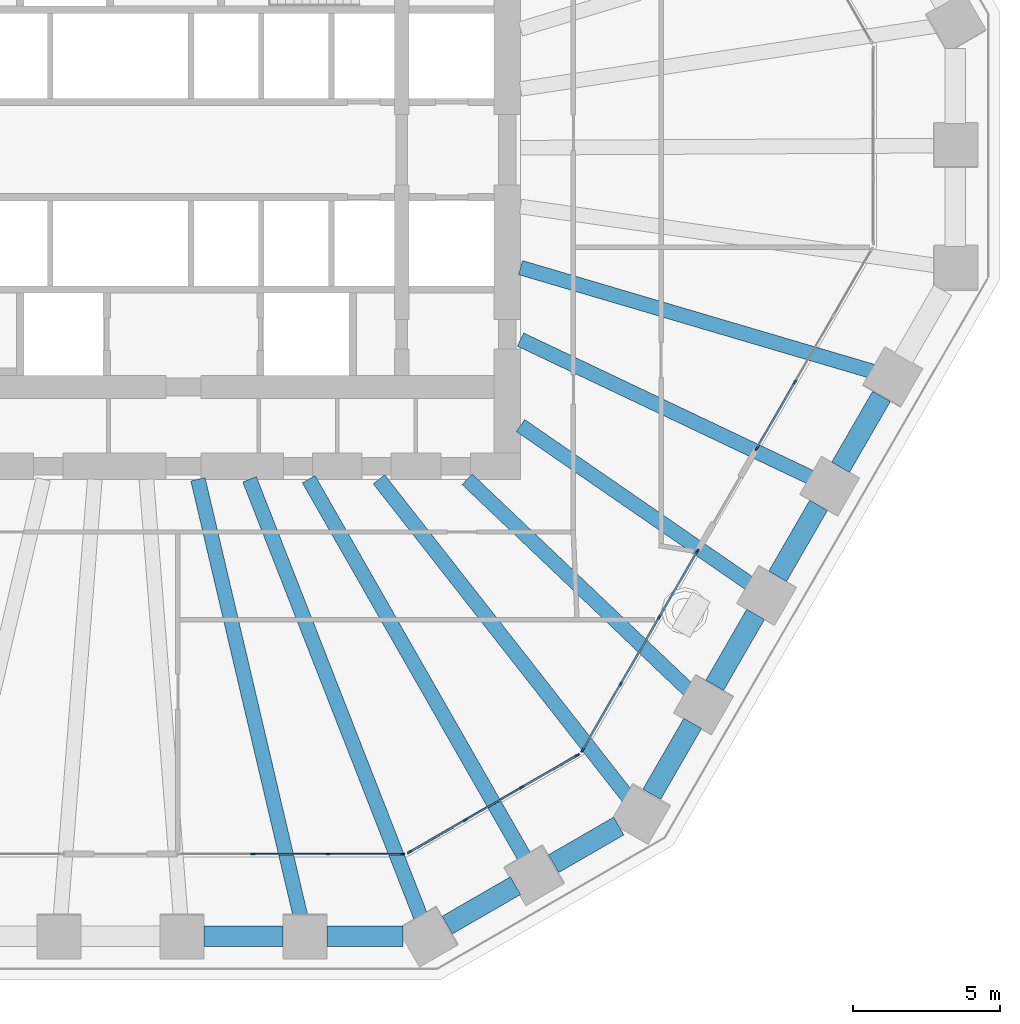
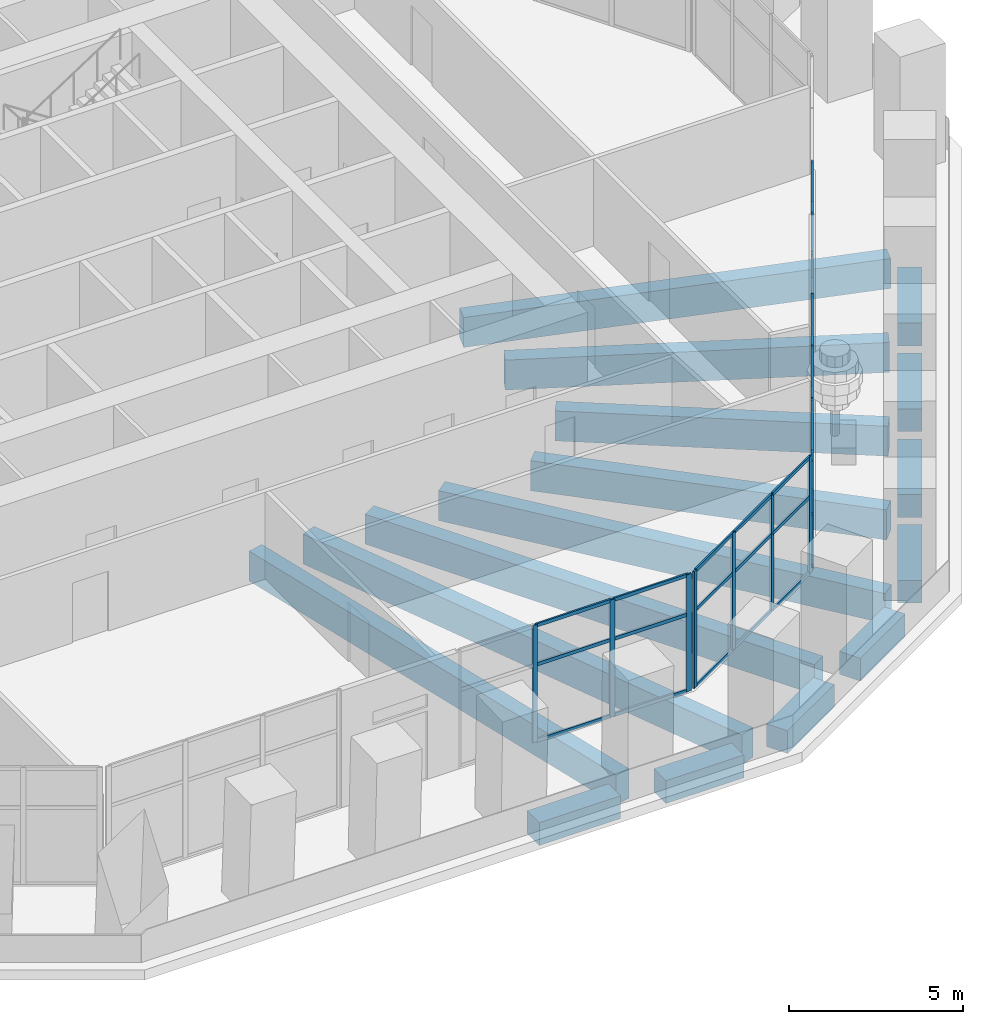
# One storey, part 4 of 18: 40 members, 16 beams, 4 elements without a shape of their own.
"""IFC4 building model written with IfcOpenShell, lengths in metres."""

from ifc_helpers import new_model, si_unit, direction, frame, origin, origin_2d, place, context, subcontext, project, spatial, rectangle, extrude, material, material_profile, profile_set, type_object, element, aggregate, save


model = new_model("IFC4")

# Units and contexts
model_context = context("Model", 3, precision=1e-05, world=origin(), true_north=direction((0.0, 1.0)))
body_context = subcontext(model_context, "Body", "Model", "MODEL_VIEW")
ifc_project = project(units=[si_unit("LENGTHUNIT", "METRE"), si_unit("AREAUNIT", "SQUARE_METRE"), si_unit("VOLUMEUNIT", "CUBIC_METRE"), si_unit("PLANEANGLEUNIT", "RADIAN"), si_unit("MASSUNIT", "GRAM", prefix="KILO")], contexts=[model_context])

# Site, building, storey
site_placement = place(None, origin())
site = spatial("IfcSite", under=ifc_project, at=site_placement, CompositionType="ELEMENT")
building_placement = place(site_placement, origin())
building = spatial("IfcBuilding", under=site, at=building_placement, Name="Frailejon Research Tower", CompositionType="ELEMENT")
storey_placement = place(building_placement, frame((0.0, 0.0, 19.0)))
storey = spatial("IfcBuildingStorey", under=building, at=storey_placement, Name="L04", CompositionType="ELEMENT", Elevation=19.0)

# Curtain wall, members
ifc_material_1 = material(Name="Aluminium curtain wall", Category="aluminium")
curtain_wall_type = type_object("IfcCurtainWallType", Name="Base zone unitised curtain wall system", PredefinedType="NOTDEFINED", material=ifc_material_1)
curtain_wall_1_placement = place(storey_placement, origin())
curtain_wall_1 = element("IfcCurtainWall", 1, at=curtain_wall_1_placement, inside=storey, type_object=curtain_wall_type, Name="Curtain wall L04", PredefinedType="NOTDEFINED")
ifc_material_2 = material(Name="Aluminium extrusion", Category="aluminium")
ifc_material_profile_1 = material_profile(ifc_material_2, rectangle(XDim=0.06005859375, YDim=0.159912109375, at=origin_2d()), Name="Base zone unitised curtain wall mullion 60x160")
ifc_profile_set_1 = profile_set([ifc_material_profile_1], Name="Aluminium extrusion")
member_type_1 = type_object("IfcMemberType", Name="Base zone unitised curtain wall mullion 60x160", PredefinedType="MULLION", material=ifc_profile_set_1)
member_1_placement = place(storey_placement, frame((4.5166015625, -24.038330078125, 0.0), z_axis=(0.0, 0.0, 1.0), x_axis=(0.0, 1.0, 0.0)))
member_1 = element("IfcMember", 2, at=member_1_placement, type_object=member_type_1, Name="CW3-077 mullion 2", PredefinedType="MULLION", context=body_context, shape_type="SweptSolid", body=[
    extrude(rectangle(XDim=0.06005859375, YDim=0.159912109375, at=origin_2d()), origin(), (0.0, 0.0, 1.0), 4.10009765625),
])
member_2_placement = place(storey_placement, frame((7.083251953125, -24.038330078125, 0.0), z_axis=(0.0, 0.0, 1.0), x_axis=(0.0, 1.0, 0.0)))
member_2 = element("IfcMember", 3, at=member_2_placement, type_object=member_type_1, Name="CW3-077 mullion 3", PredefinedType="MULLION", context=body_context, shape_type="SweptSolid", body=[
    extrude(rectangle(XDim=0.06005859375, YDim=0.159912109375, at=origin_2d()), origin(), (0.0, 0.0, 1.0), 4.10009765625),
])
member_3_placement = place(storey_placement, frame((9.619873046875, -24.038330078125, 0.0), z_axis=(0.0, 0.0, 1.0), x_axis=(0.0, 1.0, 0.0)))
member_3 = element("IfcMember", 4, at=member_3_placement, type_object=member_type_1, Name="CW3-077 mullion 4", PredefinedType="MULLION", context=body_context, shape_type="SweptSolid", body=[
    extrude(rectangle(XDim=0.06005859375, YDim=0.159912109375, at=origin_2d()), origin(), (0.0, 0.0, 1.0), 4.10009765625),
])

curtain_wall_2_placement = place(storey_placement, origin())
curtain_wall_2 = element("IfcCurtainWall", 5, at=curtain_wall_2_placement, inside=storey, type_object=curtain_wall_type, Name="Curtain wall L04", PredefinedType="NOTDEFINED")
member_4_placement = place(storey_placement, frame((9.8623046875, -23.973388671875, 0.0), z_axis=(0.0, 0.0, 1.0), x_axis=(-0.499998258782, 0.866026409075, 0.0)))
member_4 = element("IfcMember", 6, at=member_4_placement, type_object=member_type_1, Name="CW3-078 mullion 1", PredefinedType="MULLION", context=body_context, shape_type="SweptSolid", body=[
    extrude(rectangle(XDim=0.06005859375, YDim=0.159912109375, at=origin_2d()), origin(), (0.0, 0.0, 1.0), 4.10009765625),
])
member_5_placement = place(storey_placement, frame((11.76318359375, -22.8759765625, 0.0), z_axis=(0.0, 0.0, 1.0), x_axis=(-0.499998258782, 0.866026409075, 0.0)))
member_5 = element("IfcMember", 7, at=member_5_placement, type_object=member_type_1, Name="CW3-078 mullion 2", PredefinedType="MULLION", context=body_context, shape_type="SweptSolid", body=[
    extrude(rectangle(XDim=0.06005859375, YDim=0.159912109375, at=origin_2d()), origin(), (0.0, 0.0, 1.0), 4.10009765625),
])
member_6_placement = place(storey_placement, frame((13.68994140625, -21.763427734375, 0.0), z_axis=(0.0, 0.0, 1.0), x_axis=(-0.499998258782, 0.866026409075, 0.0)))
member_6 = element("IfcMember", 8, at=member_6_placement, type_object=member_type_1, Name="CW3-078 mullion 3", PredefinedType="MULLION", context=body_context, shape_type="SweptSolid", body=[
    extrude(rectangle(XDim=0.06005859375, YDim=0.159912109375, at=origin_2d()), origin(), (0.0, 0.0, 1.0), 4.10009765625),
])
member_7_placement = place(storey_placement, frame((15.5908203125, -20.666015625, 0.0), z_axis=(0.0, 0.0, 1.0), x_axis=(-0.499998258782, 0.866026409075, 0.0)))
member_7 = element("IfcMember", 9, at=member_7_placement, type_object=member_type_1, Name="CW3-078 mullion 4", PredefinedType="MULLION", context=body_context, shape_type="SweptSolid", body=[
    extrude(rectangle(XDim=0.06005859375, YDim=0.159912109375, at=origin_2d()), origin(), (0.0, 0.0, 1.0), 4.10009765625),
])

curtain_wall_3_placement = place(storey_placement, origin())
curtain_wall_3 = element("IfcCurtainWall", 10, at=curtain_wall_3_placement, inside=storey, type_object=curtain_wall_type, Name="Curtain wall L04", PredefinedType="NOTDEFINED")
member_8_placement = place(storey_placement, frame((15.768310546875, -20.488525390625, 0.0), z_axis=(0.0, 0.0, 1.0), x_axis=(-0.866026896805, 0.499997414004, 0.0)))
member_8 = element("IfcMember", 11, at=member_8_placement, type_object=member_type_1, Name="CW3-079 mullion 1", PredefinedType="MULLION", context=body_context, shape_type="SweptSolid", body=[
    extrude(rectangle(XDim=0.06005859375, YDim=0.159912109375, at=origin_2d()), origin(), (0.0, 0.0, 1.0), 4.10009765625),
])
member_9_placement = place(storey_placement, frame((17.068603515625, -18.236328125, 0.0), z_axis=(0.0, 0.0, 1.0), x_axis=(-0.866026896805, 0.499997414004, 0.0)))
member_9 = element("IfcMember", 12, at=member_9_placement, type_object=member_type_1, Name="CW3-079 mullion 2", PredefinedType="MULLION", context=body_context, shape_type="SweptSolid", body=[
    extrude(rectangle(XDim=0.06005859375, YDim=0.159912109375, at=origin_2d()), origin(), (0.0, 0.0, 1.0), 4.10009765625),
])
member_10_placement = place(storey_placement, frame((18.3837890625, -15.958251953125, 0.0), z_axis=(0.0, 0.0, 1.0), x_axis=(-0.866026896805, 0.499997414004, 0.0)))
member_10 = element("IfcMember", 13, at=member_10_placement, type_object=member_type_1, Name="CW3-079 mullion 3", PredefinedType="MULLION", context=body_context, shape_type="SweptSolid", body=[
    extrude(rectangle(XDim=0.06005859375, YDim=0.159912109375, at=origin_2d()), origin(), (0.0, 0.0, 1.0), 4.10009765625),
])
member_11_placement = place(storey_placement, frame((19.68408203125, -13.706298828125, 0.0), z_axis=(0.0, 0.0, 1.0), x_axis=(-0.866026896805, 0.499997414004, 0.0)))
member_11 = element("IfcMember", 14, at=member_11_placement, type_object=member_type_1, Name="CW3-079 mullion 4", PredefinedType="MULLION", context=body_context, shape_type="SweptSolid", body=[
    extrude(rectangle(XDim=0.06005859375, YDim=0.159912109375, at=origin_2d()), origin(), (0.0, 0.0, 1.0), 4.10009765625),
])

curtain_wall_4_placement = place(storey_placement, origin())
curtain_wall_4 = element("IfcCurtainWall", 15, at=curtain_wall_4_placement, inside=storey, type_object=curtain_wall_type, Name="Curtain wall L04", PredefinedType="NOTDEFINED")
member_12_placement = place(storey_placement, frame((21.7119140625, -10.19384765625, 0.0), z_axis=(0.0, 0.0, 1.0), x_axis=(-0.866026896805, 0.499997414004, 0.0)))
member_12 = element("IfcMember", 16, at=member_12_placement, type_object=member_type_1, Name="CW3-080 mullion 1", PredefinedType="MULLION", context=body_context, shape_type="SweptSolid", body=[
    extrude(rectangle(XDim=0.06005859375, YDim=0.159912109375, at=origin_2d()), origin(), (0.0, 0.0, 1.0), 4.10009765625),
])
member_13_placement = place(storey_placement, frame((23.01220703125, -7.941650390625, 0.0), z_axis=(0.0, 0.0, 1.0), x_axis=(-0.866026896805, 0.499997414004, 0.0)))
member_13 = element("IfcMember", 17, at=member_13_placement, type_object=member_type_1, Name="CW3-080 mullion 2", PredefinedType="MULLION", context=body_context, shape_type="SweptSolid", body=[
    extrude(rectangle(XDim=0.06005859375, YDim=0.159912109375, at=origin_2d()), origin(), (0.0, 0.0, 1.0), 4.10009765625),
])

# Member
ifc_material_3 = material(Name="Aluminium extrusion", Category="aluminium")
ifc_material_profile_2 = material_profile(ifc_material_3, rectangle(XDim=0.06005859375, YDim=0.1201171875, at=origin_2d()), Name="Base zone unitised curtain wall transom 60x120")
ifc_profile_set_2 = profile_set([ifc_material_profile_2], Name="Aluminium extrusion")
member_type_2 = type_object("IfcMemberType", Name="Base zone unitised curtain wall transom 60x120", PredefinedType="USERDEFINED", material=ifc_profile_set_2)
member_14_placement = place(storey_placement, frame((4.546630859375, -24.038330078125, 0.030029296875), z_axis=(1.0, 0.0, 0.0), x_axis=(0.0, 1.0, 0.0)))
member_14 = element("IfcMember", 18, at=member_14_placement, type_object=member_type_2, Name="CW3-077 transom 2.1", ObjectType="TRANSOM", PredefinedType="USERDEFINED", context=body_context, shape_type="SweptSolid", body=[
    extrude(rectangle(XDim=0.06005859375, YDim=0.1201171875, at=origin_2d()), origin(), (0.0, 0.0, 1.0), 2.506591796875),
])

member_15_placement = place(storey_placement, frame((4.546630859375, -24.038330078125, 2.699951171875), z_axis=(1.0, 0.0, 0.0), x_axis=(0.0, 1.0, 0.0)))
member_15 = element("IfcMember", 19, at=member_15_placement, type_object=member_type_2, Name="CW3-077 transom 2.2", ObjectType="TRANSOM", PredefinedType="USERDEFINED", context=body_context, shape_type="SweptSolid", body=[
    extrude(rectangle(XDim=0.06005859375, YDim=0.1201171875, at=origin_2d()), origin(), (0.0, 0.0, 1.0), 2.506591796875),
])

member_16_placement = place(storey_placement, frame((4.546630859375, -24.038330078125, 4.070068359375), z_axis=(1.0, 0.0, 0.0), x_axis=(0.0, 1.0, 0.0)))
member_16 = element("IfcMember", 20, at=member_16_placement, type_object=member_type_2, Name="CW3-077 transom 2.3", ObjectType="TRANSOM", PredefinedType="USERDEFINED", context=body_context, shape_type="SweptSolid", body=[
    extrude(rectangle(XDim=0.06005859375, YDim=0.1201171875, at=origin_2d()), origin(), (0.0, 0.0, 1.0), 2.506591796875),
])

member_17_placement = place(storey_placement, frame((7.11328125, -24.038330078125, 0.030029296875), z_axis=(1.0, 0.0, 0.0), x_axis=(0.0, 1.0, 0.0)))
member_17 = element("IfcMember", 21, at=member_17_placement, type_object=member_type_2, Name="CW3-077 transom 3.1", ObjectType="TRANSOM", PredefinedType="USERDEFINED", context=body_context, shape_type="SweptSolid", body=[
    extrude(rectangle(XDim=0.06005859375, YDim=0.1201171875, at=origin_2d()), origin(), (0.0, 0.0, 1.0), 2.4765625),
])

member_18_placement = place(storey_placement, frame((7.11328125, -24.038330078125, 2.699951171875), z_axis=(1.0, 0.0, 0.0), x_axis=(0.0, 1.0, 0.0)))
member_18 = element("IfcMember", 22, at=member_18_placement, type_object=member_type_2, Name="CW3-077 transom 3.2", ObjectType="TRANSOM", PredefinedType="USERDEFINED", context=body_context, shape_type="SweptSolid", body=[
    extrude(rectangle(XDim=0.06005859375, YDim=0.1201171875, at=origin_2d()), origin(), (0.0, 0.0, 1.0), 2.4765625),
])

member_19_placement = place(storey_placement, frame((7.11328125, -24.038330078125, 4.070068359375), z_axis=(1.0, 0.0, 0.0), x_axis=(0.0, 1.0, 0.0)))
member_19 = element("IfcMember", 23, at=member_19_placement, type_object=member_type_2, Name="CW3-077 transom 3.3", ObjectType="TRANSOM", PredefinedType="USERDEFINED", context=body_context, shape_type="SweptSolid", body=[
    extrude(rectangle(XDim=0.06005859375, YDim=0.1201171875, at=origin_2d()), origin(), (0.0, 0.0, 1.0), 2.4765625),
])

aggregate(curtain_wall_1, [member_1, member_2, member_3, member_14, member_15, member_16, member_17, member_18, member_19])

member_20_placement = place(storey_placement, frame((9.888427734375, -23.958251953125, 0.030029296875), z_axis=(0.866038951244, 0.499976534377, 0.0), x_axis=(-0.499976534377, 0.866038951244, 0.0)))
member_20 = element("IfcMember", 24, at=member_20_placement, type_object=member_type_2, Name="CW3-078 transom 1.1", ObjectType="TRANSOM", PredefinedType="USERDEFINED", context=body_context, shape_type="SweptSolid", body=[
    extrude(rectangle(XDim=0.06005859375, YDim=0.1201171875, at=origin_2d()), origin(), (0.0, 0.0, 1.0), 2.134765625),
])

member_21_placement = place(storey_placement, frame((9.888427734375, -23.958251953125, 2.699951171875), z_axis=(0.866038951244, 0.499976534377, 0.0), x_axis=(-0.499976534377, 0.866038951244, 0.0)))
member_21 = element("IfcMember", 25, at=member_21_placement, type_object=member_type_2, Name="CW3-078 transom 1.2", ObjectType="TRANSOM", PredefinedType="USERDEFINED", context=body_context, shape_type="SweptSolid", body=[
    extrude(rectangle(XDim=0.06005859375, YDim=0.1201171875, at=origin_2d()), origin(), (0.0, 0.0, 1.0), 2.134765625),
])

member_22_placement = place(storey_placement, frame((9.888427734375, -23.958251953125, 4.070068359375), z_axis=(0.866038951244, 0.499976534377, 0.0), x_axis=(-0.499976534377, 0.866038951244, 0.0)))
member_22 = element("IfcMember", 26, at=member_22_placement, type_object=member_type_2, Name="CW3-078 transom 1.3", ObjectType="TRANSOM", PredefinedType="USERDEFINED", context=body_context, shape_type="SweptSolid", body=[
    extrude(rectangle(XDim=0.06005859375, YDim=0.1201171875, at=origin_2d()), origin(), (0.0, 0.0, 1.0), 2.134765625),
])

member_23_placement = place(storey_placement, frame((11.7890625, -22.86083984375, 0.030029296875), z_axis=(0.866027848477, 0.499995765644, 0.0), x_axis=(-0.499995765644, 0.866027848477, 0.0)))
member_23 = element("IfcMember", 27, at=member_23_placement, type_object=member_type_2, Name="CW3-078 transom 2.1", ObjectType="TRANSOM", PredefinedType="USERDEFINED", context=body_context, shape_type="SweptSolid", body=[
    extrude(rectangle(XDim=0.06005859375, YDim=0.1201171875, at=origin_2d()), origin(), (0.0, 0.0, 1.0), 2.1650390625),
])

member_24_placement = place(storey_placement, frame((11.7890625, -22.86083984375, 2.699951171875), z_axis=(0.866027848477, 0.499995765644, 0.0), x_axis=(-0.499995765644, 0.866027848477, 0.0)))
member_24 = element("IfcMember", 28, at=member_24_placement, type_object=member_type_2, Name="CW3-078 transom 2.2", ObjectType="TRANSOM", PredefinedType="USERDEFINED", context=body_context, shape_type="SweptSolid", body=[
    extrude(rectangle(XDim=0.06005859375, YDim=0.1201171875, at=origin_2d()), origin(), (0.0, 0.0, 1.0), 2.1650390625),
])

member_25_placement = place(storey_placement, frame((11.7890625, -22.86083984375, 4.070068359375), z_axis=(0.866027848477, 0.499995765644, 0.0), x_axis=(-0.499995765644, 0.866027848477, 0.0)))
member_25 = element("IfcMember", 29, at=member_25_placement, type_object=member_type_2, Name="CW3-078 transom 2.3", ObjectType="TRANSOM", PredefinedType="USERDEFINED", context=body_context, shape_type="SweptSolid", body=[
    extrude(rectangle(XDim=0.06005859375, YDim=0.1201171875, at=origin_2d()), origin(), (0.0, 0.0, 1.0), 2.1650390625),
])

member_26_placement = place(storey_placement, frame((13.716064453125, -21.74853515625, 0.030029296875), z_axis=(0.865989432579, 0.500062298781, 0.0), x_axis=(-0.500062298781, 0.865989432579, 0.0)))
member_26 = element("IfcMember", 30, at=member_26_placement, type_object=member_type_2, Name="CW3-078 transom 3.1", ObjectType="TRANSOM", PredefinedType="USERDEFINED", context=body_context, shape_type="SweptSolid", body=[
    extrude(rectangle(XDim=0.06005859375, YDim=0.1201171875, at=origin_2d()), origin(), (0.0, 0.0, 1.0), 2.135009765625),
])

member_27_placement = place(storey_placement, frame((13.716064453125, -21.74853515625, 2.699951171875), z_axis=(0.865989432579, 0.500062298781, 0.0), x_axis=(-0.500062298781, 0.865989432579, 0.0)))
member_27 = element("IfcMember", 31, at=member_27_placement, type_object=member_type_2, Name="CW3-078 transom 3.2", ObjectType="TRANSOM", PredefinedType="USERDEFINED", context=body_context, shape_type="SweptSolid", body=[
    extrude(rectangle(XDim=0.06005859375, YDim=0.1201171875, at=origin_2d()), origin(), (0.0, 0.0, 1.0), 2.135009765625),
])

member_28_placement = place(storey_placement, frame((13.716064453125, -21.74853515625, 4.070068359375), z_axis=(0.865989432579, 0.500062298781, 0.0), x_axis=(-0.500062298781, 0.865989432579, 0.0)))
member_28 = element("IfcMember", 32, at=member_28_placement, type_object=member_type_2, Name="CW3-078 transom 3.3", ObjectType="TRANSOM", PredefinedType="USERDEFINED", context=body_context, shape_type="SweptSolid", body=[
    extrude(rectangle(XDim=0.06005859375, YDim=0.1201171875, at=origin_2d()), origin(), (0.0, 0.0, 1.0), 2.135009765625),
])

aggregate(curtain_wall_2, [member_4, member_5, member_6, member_7, member_20, member_21, member_22, member_23, member_24, member_25, member_26, member_27, member_28])

member_29_placement = place(storey_placement, frame((15.783447265625, -20.46240234375, 0.030029296875), z_axis=(0.499994189038, 0.866028758719, 0.0), x_axis=(-0.866028758719, 0.499994189038, 0.0)))
member_29 = element("IfcMember", 33, at=member_29_placement, type_object=member_type_2, Name="CW3-079 transom 1.1", ObjectType="TRANSOM", PredefinedType="USERDEFINED", context=body_context, shape_type="SweptSolid", body=[
    extrude(rectangle(XDim=0.06005859375, YDim=0.1201171875, at=origin_2d()), origin(), (0.0, 0.0, 1.0), 2.54052734375),
])

member_30_placement = place(storey_placement, frame((15.783447265625, -20.46240234375, 2.699951171875), z_axis=(0.499994189038, 0.866028758719, 0.0), x_axis=(-0.866028758719, 0.499994189038, 0.0)))
member_30 = element("IfcMember", 34, at=member_30_placement, type_object=member_type_2, Name="CW3-079 transom 1.2", ObjectType="TRANSOM", PredefinedType="USERDEFINED", context=body_context, shape_type="SweptSolid", body=[
    extrude(rectangle(XDim=0.06005859375, YDim=0.1201171875, at=origin_2d()), origin(), (0.0, 0.0, 1.0), 2.54052734375),
])

member_31_placement = place(storey_placement, frame((15.783447265625, -20.46240234375, 4.070068359375), z_axis=(0.499994189038, 0.866028758719, 0.0), x_axis=(-0.866028758719, 0.499994189038, 0.0)))
member_31 = element("IfcMember", 35, at=member_31_placement, type_object=member_type_2, Name="CW3-079 transom 1.3", ObjectType="TRANSOM", PredefinedType="USERDEFINED", context=body_context, shape_type="SweptSolid", body=[
    extrude(rectangle(XDim=0.06005859375, YDim=0.1201171875, at=origin_2d()), origin(), (0.0, 0.0, 1.0), 2.54052734375),
])

member_32_placement = place(storey_placement, frame((17.083740234375, -18.21044921875, 0.030029296875), z_axis=(0.49993894727, 0.866060649725, 0.0), x_axis=(-0.866060649725, 0.49993894727, 0.0)))
member_32 = element("IfcMember", 36, at=member_32_placement, type_object=member_type_2, Name="CW3-079 transom 2.1", ObjectType="TRANSOM", PredefinedType="USERDEFINED", context=body_context, shape_type="SweptSolid", body=[
    extrude(rectangle(XDim=0.06005859375, YDim=0.1201171875, at=origin_2d()), origin(), (0.0, 0.0, 1.0), 2.570556640625),
])

member_33_placement = place(storey_placement, frame((17.083740234375, -18.21044921875, 2.699951171875), z_axis=(0.49993894727, 0.866060649725, 0.0), x_axis=(-0.866060649725, 0.49993894727, 0.0)))
member_33 = element("IfcMember", 37, at=member_33_placement, type_object=member_type_2, Name="CW3-079 transom 2.2", ObjectType="TRANSOM", PredefinedType="USERDEFINED", context=body_context, shape_type="SweptSolid", body=[
    extrude(rectangle(XDim=0.06005859375, YDim=0.1201171875, at=origin_2d()), origin(), (0.0, 0.0, 1.0), 2.570556640625),
])

member_34_placement = place(storey_placement, frame((17.083740234375, -18.21044921875, 4.070068359375), z_axis=(0.49993894727, 0.866060649725, 0.0), x_axis=(-0.866060649725, 0.49993894727, 0.0)))
member_34 = element("IfcMember", 38, at=member_34_placement, type_object=member_type_2, Name="CW3-079 transom 2.3", ObjectType="TRANSOM", PredefinedType="USERDEFINED", context=body_context, shape_type="SweptSolid", body=[
    extrude(rectangle(XDim=0.06005859375, YDim=0.1201171875, at=origin_2d()), origin(), (0.0, 0.0, 1.0), 2.570556640625),
])

member_35_placement = place(storey_placement, frame((18.39892578125, -15.932373046875, 0.030029296875), z_axis=(0.499994189038, 0.866028758719, 0.0), x_axis=(-0.866028758719, 0.499994189038, 0.0)))
member_35 = element("IfcMember", 39, at=member_35_placement, type_object=member_type_2, Name="CW3-079 transom 3.1", ObjectType="TRANSOM", PredefinedType="USERDEFINED", context=body_context, shape_type="SweptSolid", body=[
    extrude(rectangle(XDim=0.06005859375, YDim=0.1201171875, at=origin_2d()), origin(), (0.0, 0.0, 1.0), 2.54052734375),
])

member_36_placement = place(storey_placement, frame((18.39892578125, -15.932373046875, 2.699951171875), z_axis=(0.499994189038, 0.866028758719, 0.0), x_axis=(-0.866028758719, 0.499994189038, 0.0)))
member_36 = element("IfcMember", 40, at=member_36_placement, type_object=member_type_2, Name="CW3-079 transom 3.2", ObjectType="TRANSOM", PredefinedType="USERDEFINED", context=body_context, shape_type="SweptSolid", body=[
    extrude(rectangle(XDim=0.06005859375, YDim=0.1201171875, at=origin_2d()), origin(), (0.0, 0.0, 1.0), 2.54052734375),
])

member_37_placement = place(storey_placement, frame((18.39892578125, -15.932373046875, 4.070068359375), z_axis=(0.499994189038, 0.866028758719, 0.0), x_axis=(-0.866028758719, 0.499994189038, 0.0)))
member_37 = element("IfcMember", 41, at=member_37_placement, type_object=member_type_2, Name="CW3-079 transom 3.3", ObjectType="TRANSOM", PredefinedType="USERDEFINED", context=body_context, shape_type="SweptSolid", body=[
    extrude(rectangle(XDim=0.06005859375, YDim=0.1201171875, at=origin_2d()), origin(), (0.0, 0.0, 1.0), 2.54052734375),
])

aggregate(curtain_wall_3, [member_8, member_9, member_10, member_11, member_29, member_30, member_31, member_32, member_33, member_34, member_35, member_36, member_37])

member_38_placement = place(storey_placement, frame((21.726806640625, -10.167724609375, 0.030029296875), z_axis=(0.500035802948, 0.866004731956, 0.0), x_axis=(-0.866004731956, 0.500035802948, 0.0)))
member_38 = element("IfcMember", 42, at=member_38_placement, type_object=member_type_2, Name="CW3-080 transom 1.1", ObjectType="TRANSOM", PredefinedType="USERDEFINED", context=body_context, shape_type="SweptSolid", body=[
    extrude(rectangle(XDim=0.06005859375, YDim=0.1201171875, at=origin_2d()), origin(), (0.0, 0.0, 1.0), 2.540283203125),
])

member_39_placement = place(storey_placement, frame((21.726806640625, -10.167724609375, 2.699951171875), z_axis=(0.500035802948, 0.866004731956, 0.0), x_axis=(-0.866004731956, 0.500035802948, 0.0)))
member_39 = element("IfcMember", 43, at=member_39_placement, type_object=member_type_2, Name="CW3-080 transom 1.2", ObjectType="TRANSOM", PredefinedType="USERDEFINED", context=body_context, shape_type="SweptSolid", body=[
    extrude(rectangle(XDim=0.06005859375, YDim=0.1201171875, at=origin_2d()), origin(), (0.0, 0.0, 1.0), 2.540283203125),
])

member_40_placement = place(storey_placement, frame((21.726806640625, -10.167724609375, 4.070068359375), z_axis=(0.500035802948, 0.866004731956, 0.0), x_axis=(-0.866004731956, 0.500035802948, 0.0)))
member_40 = element("IfcMember", 44, at=member_40_placement, type_object=member_type_2, Name="CW3-080 transom 1.3", ObjectType="TRANSOM", PredefinedType="USERDEFINED", context=body_context, shape_type="SweptSolid", body=[
    extrude(rectangle(XDim=0.06005859375, YDim=0.1201171875, at=origin_2d()), origin(), (0.0, 0.0, 1.0), 2.540283203125),
])

aggregate(curtain_wall_4, [member_12, member_13, member_38, member_39, member_40])

# Beams
ifc_material_4 = material(Name="Concrete C60/75", Category="concrete")
ifc_material_profile_3 = material_profile(ifc_material_4, rectangle(XDim=0.5, YDim=1.050048828125, at=origin_2d()), Name="Girder 500x1050")
ifc_profile_set_3 = profile_set([ifc_material_profile_3], Name="Concrete C60/75")
beam_type_1 = type_object("IfcBeamType", Name="Girder 500x1050", PredefinedType="BEAM", material=ifc_profile_set_3)
beam_1_placement = place(storey_placement, frame((6.158203125, -26.234375, -0.824951171875), z_axis=(-0.228522100107, 0.973538725353, 0.0), x_axis=(-0.973538725353, -0.228522100107, 0.0)))
element("IfcBeam", 45, at=beam_1_placement, inside=storey, type_object=beam_type_1, Name="Girder 500x1050", PredefinedType="BEAM", context=body_context, shape_type="SweptSolid", body=[
    extrude(rectangle(XDim=0.5, YDim=1.050048828125, at=origin_2d()), origin(), (0.0, 0.0, 1.0), 15.3916015625),
])
beam_2_placement = place(storey_placement, frame((10.2783203125, -26.271484375, -0.824951171875), z_axis=(-0.36434456198, 0.931264216082, 0.0), x_axis=(-0.931264216082, -0.36434456198, 0.0)))
element("IfcBeam", 46, at=beam_2_placement, inside=storey, type_object=beam_type_1, Name="Girder 500x1050", PredefinedType="BEAM", context=body_context, shape_type="SweptSolid", body=[
    extrude(rectangle(XDim=0.5, YDim=1.050048828125, at=origin_2d()), origin(), (0.0, 0.0, 1.0), 16.130126953125),
])
beam_3_placement = place(storey_placement, frame((13.8291015625, -24.223388671875, -0.824951171875), z_axis=(-0.495792179551, 0.86844119818, 0.0), x_axis=(-0.86844119818, -0.495792179551, 0.0)))
element("IfcBeam", 47, at=beam_3_placement, inside=storey, type_object=beam_type_1, Name="Girder 500x1050", PredefinedType="BEAM", context=body_context, shape_type="SweptSolid", body=[
    extrude(rectangle(XDim=0.5, YDim=1.050048828125, at=origin_2d()), origin(), (0.0, 0.0, 1.0), 14.938720703125),
])
beam_4_placement = place(storey_placement, frame((17.346923828125, -22.132568359375, -0.824951171875), z_axis=(-0.616879889543, 0.787057305332, 0.0), x_axis=(-0.787057305332, -0.616879889543, 0.0)))
element("IfcBeam", 48, at=beam_4_placement, inside=storey, type_object=beam_type_1, Name="Girder 500x1050", PredefinedType="BEAM", context=body_context, shape_type="SweptSolid", body=[
    extrude(rectangle(XDim=0.5, YDim=1.050048828125, at=origin_2d()), origin(), (0.0, 0.0, 1.0), 13.826904296875),
])
beam_5_placement = place(storey_placement, frame((19.45068359375, -18.501953125, -0.824951171875), z_axis=(-0.724554952995, 0.689217034098, 0.0), x_axis=(-0.689217034098, -0.724554952995, 0.0)))
element("IfcBeam", 49, at=beam_5_placement, inside=storey, type_object=beam_type_1, Name="Girder 500x1050", PredefinedType="BEAM", context=body_context, shape_type="SweptSolid", body=[
    extrude(rectangle(XDim=0.5, YDim=1.050048828125, at=origin_2d()), origin(), (0.0, 0.0, 1.0), 10.52197265625),
])
beam_6_placement = place(storey_placement, frame((21.552978515625, -14.867919921875, -0.824951171875), z_axis=(-0.8231513097, 0.567822085991, 0.0), x_axis=(-0.567822085991, -0.8231513097, 0.0)))
element("IfcBeam", 50, at=beam_6_placement, inside=storey, type_object=beam_type_1, Name="Girder 500x1050", PredefinedType="BEAM", context=body_context, shape_type="SweptSolid", body=[
    extrude(rectangle(XDim=0.5, YDim=1.050048828125, at=origin_2d()), origin(), (0.0, 0.0, 1.0), 9.60107421875),
])
beam_7_placement = place(storey_placement, frame((23.652587890625, -11.2314453125, -0.824951171875), z_axis=(-0.903330689319, 0.42894482831, 0.0), x_axis=(-0.42894482831, -0.903330689319, 0.0)))
element("IfcBeam", 51, at=beam_7_placement, inside=storey, type_object=beam_type_1, Name="Girder 500x1050", PredefinedType="BEAM", context=body_context, shape_type="SweptSolid", body=[
    extrude(rectangle(XDim=0.5, YDim=1.050048828125, at=origin_2d()), origin(), (0.0, 0.0, 1.0), 11.072998046875),
])
beam_8_placement = place(storey_placement, frame((25.74853515625, -7.59375, -0.824951171875), z_axis=(-0.959157205215, 0.282873568372, 0.0), x_axis=(-0.282873568372, -0.959157205215, 0.0)))
element("IfcBeam", 52, at=beam_8_placement, inside=storey, type_object=beam_type_1, Name="Girder 500x1050", PredefinedType="BEAM", context=body_context, shape_type="SweptSolid", body=[
    extrude(rectangle(XDim=0.5, YDim=1.050048828125, at=origin_2d()), origin(), (0.0, 0.0, 1.0), 12.61376953125),
])
ifc_material_5 = material(Name="Concrete C60/75", Category="concrete")
ifc_material_profile_4 = material_profile(ifc_material_5, rectangle(XDim=0.699951171875, YDim=0.800048828125, at=origin_2d()), Name="Spandrel 700x800")
ifc_profile_set_4 = profile_set([ifc_material_profile_4], Name="Concrete C60/75")
beam_type_2 = type_object("IfcBeamType", Name="Spandrel 700x800", PredefinedType="BEAM", material=ifc_profile_set_4)
beam_9_placement = place(storey_placement, frame((2.85009765625, -26.83837890625, -0.75), z_axis=(1.0, 0.0, 0.0), x_axis=(0.0, 1.0, 0.0)))
element("IfcBeam", 53, at=beam_9_placement, inside=storey, type_object=beam_type_2, Name="Spandrel 700x800", PredefinedType="BEAM", context=body_context, shape_type="SweptSolid", body=[
    extrude(rectangle(XDim=0.699951171875, YDim=0.800048828125, at=origin_2d()), origin(), (0.0, 0.0, 1.0), 2.699951171875),
])
beam_10_placement = place(storey_placement, frame((7.050048828125, -26.83837890625, -0.75), z_axis=(1.0, 0.0, 0.0), x_axis=(0.0, 1.0, 0.0)))
element("IfcBeam", 54, at=beam_10_placement, inside=storey, type_object=beam_type_2, Name="Spandrel 700x800", PredefinedType="BEAM", context=body_context, shape_type="SweptSolid", body=[
    extrude(rectangle(XDim=0.699951171875, YDim=0.800048828125, at=origin_2d()), origin(), (0.0, 0.0, 1.0), 2.583984375),
])
beam_11_placement = place(storey_placement, frame((11.1494140625, -26.46337890625, -0.75), z_axis=(0.866004064096, 0.500036959603, 0.0), x_axis=(-0.500036959603, 0.866004064096, 0.0)))
element("IfcBeam", 55, at=beam_11_placement, inside=storey, type_object=beam_type_2, Name="Spandrel 700x800", PredefinedType="BEAM", context=body_context, shape_type="SweptSolid", body=[
    extrude(rectangle(XDim=0.699951171875, YDim=0.800048828125, at=origin_2d()), origin(), (0.0, 0.0, 1.0), 2.687744140625),
])
beam_12_placement = place(storey_placement, frame((14.776123046875, -24.369384765625, -0.75), z_axis=(0.86604962328, 0.499958048256, 0.0), x_axis=(-0.499958048256, 0.86604962328, 0.0)))
element("IfcBeam", 56, at=beam_12_placement, inside=storey, type_object=beam_type_2, Name="Spandrel 700x800", PredefinedType="BEAM", context=body_context, shape_type="SweptSolid", body=[
    extrude(rectangle(XDim=0.699951171875, YDim=0.800048828125, at=origin_2d()), origin(), (0.0, 0.0, 1.0), 2.571533203125),
])
for number, where, z_axis, x_axis, name in (
    (57, (18.128173828125, -22.001220703125, -0.75), (0.499924029065, 0.866069261182, 0.0), (-0.866069261182, 0.499924029065, 0.0), "Spandrel 700x800"),
    (58, (20.27587890625, -18.281005859375, -0.75), (0.49998952364, 0.866031452229, 0.0), (-0.866031452229, 0.49998952364, 0.0), "Spandrel 700x800"),
):
    element("IfcBeam", number, at=place(storey_placement, frame(where, z_axis=z_axis, x_axis=x_axis)), inside=storey, type_object=beam_type_2, Name=name, PredefinedType="BEAM", context=body_context, shape_type="SweptSolid", body=[
        extrude(rectangle(XDim=0.699951171875, YDim=0.800048828125, at=origin_2d()), origin(), (0.0, 0.0, 1.0), 2.7958984375),
    ])
for number, where, z_axis, x_axis, name in (
    (59, (22.423828125, -14.560546875, -0.75), (0.500027335801, 0.866009620877, 0.0), (-0.866009620877, 0.500027335801, 0.0), "Spandrel 700x800"),
    (60, (24.57177734375, -10.84033203125, -0.75), (0.500027335801, 0.866009620877, 0.0), (-0.866009620877, 0.500027335801, 0.0), "Spandrel 700x800"),
):
    element("IfcBeam", number, at=place(storey_placement, frame(where, z_axis=z_axis, x_axis=x_axis)), inside=storey, type_object=beam_type_2, Name=name, PredefinedType="BEAM", context=body_context, shape_type="SweptSolid", body=[
        extrude(rectangle(XDim=0.699951171875, YDim=0.800048828125, at=origin_2d()), origin(), (0.0, 0.0, 1.0), 2.795654296875),
    ])

save(model, "model.ifc")
